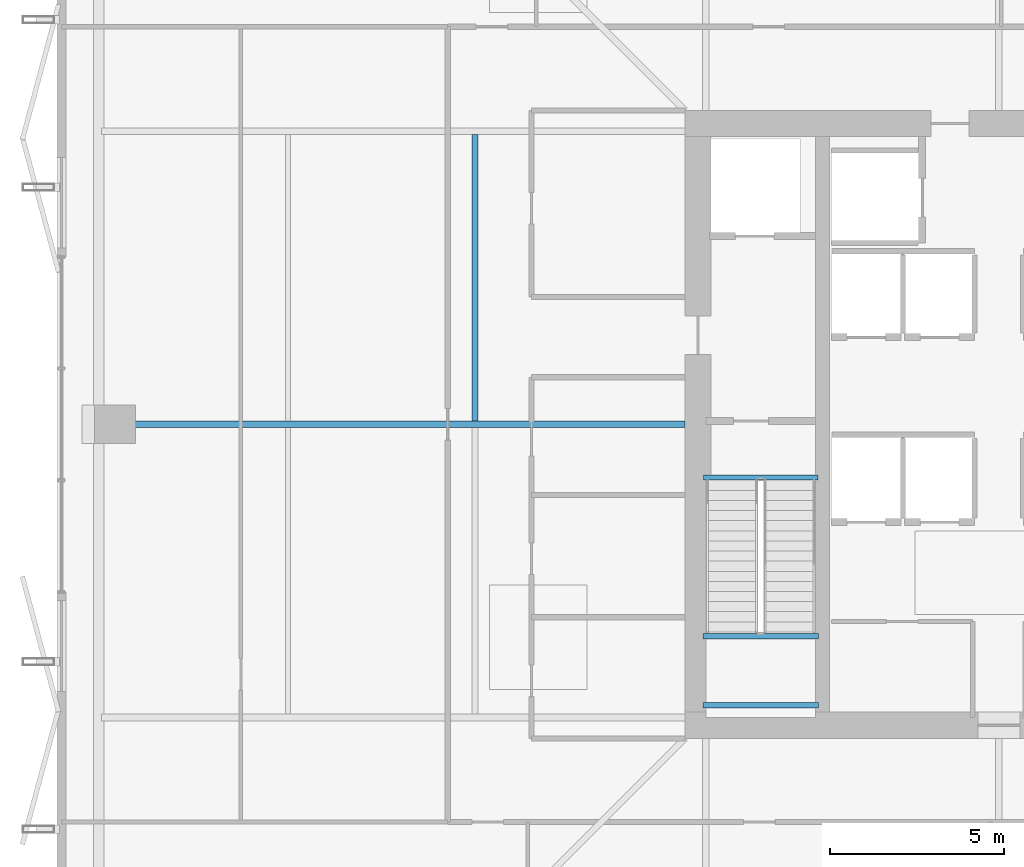
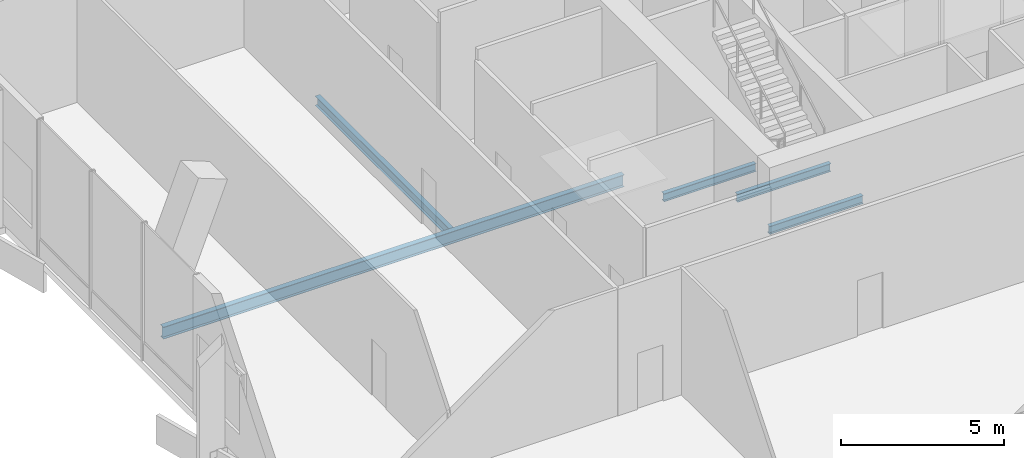
# One storey, part 10 of 33: 5 beams.
"""IFC4 building model written with IfcOpenShell, lengths in metres."""

from ifc_helpers import new_model, si_unit, direction, frame, origin, origin_2d, place, context, subcontext, project, spatial, i_section, extrude, material, material_profile, profile_set, type_object, element, save


model = new_model("IFC4")

# Units and contexts
model_context = context("Model", 3, precision=1e-05, world=origin(), true_north=direction((0.0, 1.0)))
body_context = subcontext(model_context, "Body", "Model", "MODEL_VIEW")
ifc_project = project(units=[si_unit("LENGTHUNIT", "METRE"), si_unit("AREAUNIT", "SQUARE_METRE"), si_unit("VOLUMEUNIT", "CUBIC_METRE"), si_unit("PLANEANGLEUNIT", "RADIAN"), si_unit("MASSUNIT", "GRAM", prefix="KILO")], contexts=[model_context])

# Site, building, storey
site_placement = place(None, origin())
site = spatial("IfcSite", under=ifc_project, at=site_placement, CompositionType="ELEMENT")
building_placement = place(site_placement, origin())
building = spatial("IfcBuilding", under=site, at=building_placement, Name="Belovzor Exchange Tower", CompositionType="ELEMENT")
storey_placement = place(building_placement, frame((0.0, 0.0, 241.199951171875)))
storey = spatial("IfcBuildingStorey", under=building, at=storey_placement, Name="L60", CompositionType="ELEMENT", Elevation=241.199951171875)

# Beams
ifc_material_1 = material(Name="Steel S355", Category="steel")
ifc_material_profile_1 = material_profile(ifc_material_1, i_section(OverallWidth=0.169921875, OverallDepth=0.360107421875, WebThickness=0.008056640625, FlangeThickness=0.0126953125, at=origin_2d()))
ifc_profile_set_1 = profile_set([ifc_material_profile_1], Name="Steel S355")
beam_type_1 = type_object("IfcBeamType", Name="Secondary Infill Floor Joist IPE 360", PredefinedType="BEAM", material=ifc_profile_set_1)
beam_1_placement = place(storey_placement, frame((13.779052734375, 28.89501953125, -0.429931640625), z_axis=(0.0, 1.0, 0.0), x_axis=(-1.0, 0.0, 0.0)))
element("IfcBeam", 1, at=beam_1_placement, inside=storey, type_object=beam_type_1, Name="FJ-360 Secondary Infill Floor Joist IPE 360", PredefinedType="BEAM", context=body_context, shape_type="SweptSolid", body=[
    extrude(i_section(OverallWidth=0.169921875, OverallDepth=0.360107421875, WebThickness=0.008056640625, FlangeThickness=0.0126953125, at=origin_2d()), origin(), (0.0, 0.0, 1.0), 8.2099609375),
])
ifc_material_2 = material(Name="Steel S355", Category="steel")
ifc_material_profile_2 = material_profile(ifc_material_2, i_section(OverallWidth=0.14990234375, OverallDepth=0.300048828125, WebThickness=0.007080078125, FlangeThickness=0.0107421875, at=origin_2d()))
ifc_profile_set_2 = profile_set([ifc_material_profile_2], Name="Steel S355")
beam_type_2 = type_object("IfcBeamType", Name="Secondary Trim Floor Joist IPE 300", PredefinedType="BEAM", material=ifc_profile_set_2)
for number, where, z_axis, x_axis, name in (
    (2, (20.320068359375, 22.72998046875, 2.35009765625), (1.0, 0.0, 0.0), (0.0, 1.0, 0.0), "FJ-300 Secondary Trim Floor Joist IPE 300"),
    (3, (20.320068359375, 20.75, 2.35009765625), (1.0, 0.0, 0.0), (0.0, 1.0, 0.0), "FJ-300 Secondary Trim Floor Joist IPE 300"),
):
    element("IfcBeam", number, at=place(storey_placement, frame(where, z_axis=z_axis, x_axis=x_axis)), inside=storey, type_object=beam_type_2, Name=name, PredefinedType="BEAM", context=body_context, shape_type="SweptSolid", body=[
        extrude(i_section(OverallWidth=0.14990234375, OverallDepth=0.300048828125, WebThickness=0.007080078125, FlangeThickness=0.0107421875, at=origin_2d()), origin(), (0.0, 0.0, 1.0), 3.309814453125),
    ])
beam_2_placement = place(storey_placement, frame((20.340087890625, 27.280029296875, -0.39990234375), z_axis=(1.0, 0.0, 0.0), x_axis=(0.0, 1.0, 0.0)))
element("IfcBeam", 4, at=beam_2_placement, inside=storey, type_object=beam_type_2, Name="FJ-300 Secondary Trim Floor Joist IPE 300", PredefinedType="BEAM", context=body_context, shape_type="SweptSolid", body=[
    extrude(i_section(OverallWidth=0.14990234375, OverallDepth=0.300048828125, WebThickness=0.007080078125, FlangeThickness=0.0107421875, at=origin_2d()), origin(), (0.0, 0.0, 1.0), 3.27001953125),
])
ifc_material_3 = material(Name="Steel S355", Category="steel")
ifc_material_profile_3 = material_profile(ifc_material_3, i_section(OverallWidth=0.18994140625, OverallDepth=0.449951171875, WebThickness=0.009521484375, FlangeThickness=0.0146484375, at=origin_2d()))
ifc_profile_set_3 = profile_set([ifc_material_profile_3], Name="Steel S355")
beam_type_3 = type_object("IfcBeamType", Name="Zone 2-4 Radial Composite Floor Beam IPE 450", PredefinedType="BEAM", material=ifc_profile_set_3)
beam_3_placement = place(storey_placement, frame((19.800048828125, 28.800048828125, -0.474853515625), z_axis=(-1.0, 0.0, 0.0), x_axis=(0.0, -1.0, 0.0)))
element("IfcBeam", 5, at=beam_3_placement, inside=storey, type_object=beam_type_3, Name="FB-450 Zone 2-4 Radial Composite Floor Beam IPE 450", PredefinedType="BEAM", context=body_context, shape_type="SweptSolid", body=[
    extrude(i_section(OverallWidth=0.18994140625, OverallDepth=0.449951171875, WebThickness=0.009521484375, FlangeThickness=0.0146484375, at=origin_2d()), origin(), (0.0, 0.0, 1.0), 16.316162109375),
])

save(model, "model.ifc")
